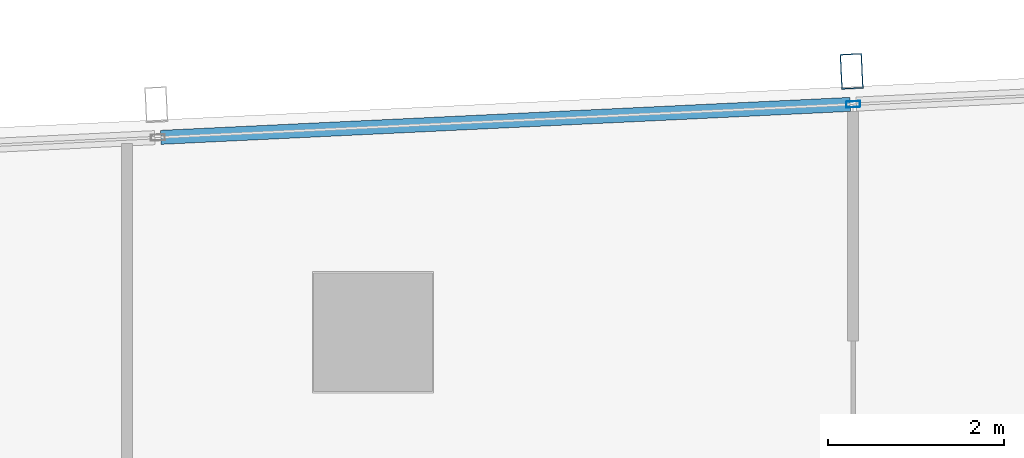
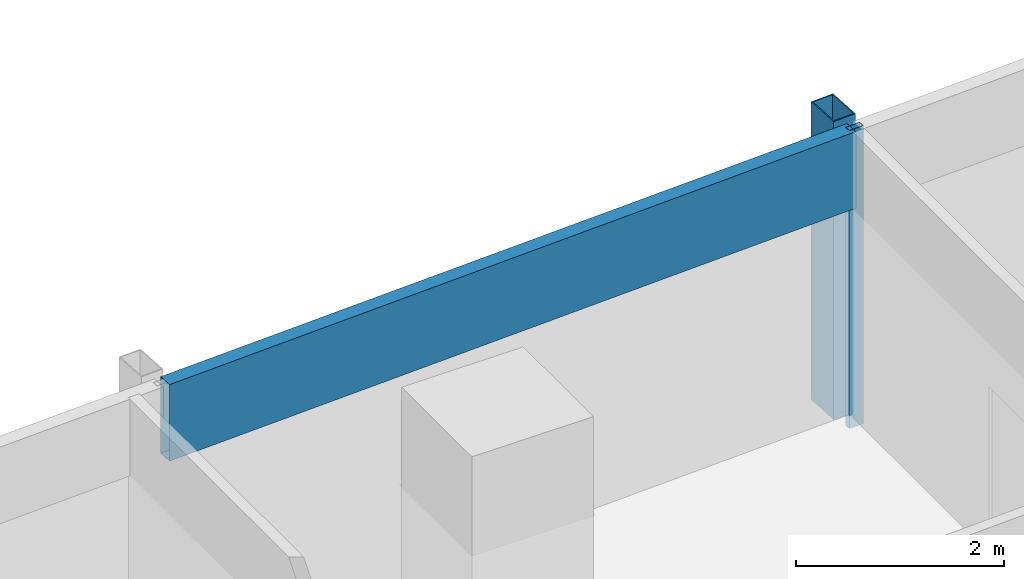
# One storey, part 19 of 39: 3 members, 1 element without a shape of its own.
"""IFC4 building model written with IfcOpenShell, lengths in metres."""

from ifc_helpers import new_model, si_unit, direction, frame, origin, origin_2d, place, context, subcontext, project, spatial, hollow_rectangle, extrude, material, material_profile, profile_set, type_object, element, aggregate, save


model = new_model("IFC4")

# Units and contexts
model_context = context("Model", 3, precision=1e-05, world=origin(), true_north=direction((0.0, 1.0)))
body_context = subcontext(model_context, "Body", "Model", "MODEL_VIEW")
ifc_project = project(units=[si_unit("LENGTHUNIT", "METRE"), si_unit("AREAUNIT", "SQUARE_METRE"), si_unit("VOLUMEUNIT", "CUBIC_METRE"), si_unit("PLANEANGLEUNIT", "RADIAN"), si_unit("MASSUNIT", "GRAM", prefix="KILO")], contexts=[model_context])

# Site, building, storey
site_placement = place(None, origin())
site = spatial("IfcSite", under=ifc_project, at=site_placement, CompositionType="ELEMENT")
building_placement = place(site_placement, origin())
building = spatial("IfcBuilding", under=site, at=building_placement, Name="Rekha Terrace Tower", CompositionType="ELEMENT")
storey_placement = place(building_placement, frame((0.0, 0.0, 217.699951171875)))
storey = spatial("IfcBuildingStorey", under=building, at=storey_placement, Name="L55", CompositionType="ELEMENT", Elevation=217.699951171875)

# Curtain wall, members
ifc_material_1 = material(Name="Aluminium framing", Category="aluminium")
curtain_wall_type = type_object("IfcCurtainWallType", Name="CW3 north unitised glazing", PredefinedType="USERDEFINED", material=ifc_material_1)
curtain_wall_placement = place(storey_placement, origin())
curtain_wall = element("IfcCurtainWall", 1, at=curtain_wall_placement, inside=storey, type_object=curtain_wall_type, Name="CW3 unitised curtain wall", ObjectType="UNITISED CURTAIN WALL", PredefinedType="USERDEFINED")
ifc_material_2 = material(Name="Steel S355 with fluorocarbon finish", Category="steel")
ifc_material_profile_1 = material_profile(ifc_material_2, hollow_rectangle(XDim=0.25, YDim=0.39990234375, WallThickness=0.012451171875, at=origin_2d()), Name="RHS400x250x12.5")
ifc_profile_set_1 = profile_set([ifc_material_profile_1], Name="Steel S355 with fluorocarbon finish")
member_type_1 = type_object("IfcMemberType", Name="BL1 facade blade RHS 400 x 250", PredefinedType="USERDEFINED", material=ifc_profile_set_1)
member_1_placement = place(storey_placement, frame((30.643310546875, 61.767578125, 0.0), z_axis=(0.0, 0.0, 1.0), x_axis=(-0.998858913274, -0.04775846913, 0.0)))
member_1 = element("IfcMember", 2, at=member_1_placement, type_object=member_type_1, Name="Facade blade", ObjectType="FACADE BLADE", PredefinedType="USERDEFINED", context=body_context, shape_type="SweptSolid", body=[
    extrude(hollow_rectangle(XDim=0.25, YDim=0.39990234375, WallThickness=0.012451171875, at=origin_2d()), origin(), (0.0, 0.0, 1.0), 3.5),
])
ifc_material_3 = material(Name="Aluminium mullion section", Category="aluminium")
ifc_material_profile_2 = material_profile(ifc_material_3, hollow_rectangle(XDim=0.070068359375, YDim=0.159912109375, WallThickness=0.00390625, at=origin_2d()), Name="AL RHS 70x160")
ifc_profile_set_2 = profile_set([ifc_material_profile_2], Name="Aluminium mullion section")
member_type_2 = type_object("IfcMemberType", Name="CW3 mullion RHS 70 x 160", PredefinedType="MULLION", material=ifc_profile_set_2)
member_2_placement = place(storey_placement, frame((30.6611328125, 61.39306640625, 0.0), z_axis=(0.0, 0.0, 1.0), x_axis=(0.047758616983, -0.998858906204, 0.0)))
member_2 = element("IfcMember", 3, at=member_2_placement, type_object=member_type_2, Name="CW3 mullion 3", PredefinedType="MULLION", context=body_context, shape_type="SweptSolid", body=[
    extrude(hollow_rectangle(XDim=0.070068359375, YDim=0.159912109375, WallThickness=0.00390625, at=origin_2d()), origin(), (0.0, 0.0, 1.0), 3.5),
])
ifc_material_4 = material(Name="Insulated aluminium spandrel box", Category="aluminium")
ifc_material_profile_3 = material_profile(ifc_material_4, hollow_rectangle(XDim=0.159912109375, YDim=0.89990234375, WallThickness=0.0029296875, at=origin_2d()), Name="AL SPANDREL BOX 160x900")
ifc_profile_set_3 = profile_set([ifc_material_profile_3], Name="Insulated aluminium spandrel box")
member_type_3 = type_object("IfcMemberType", Name="CW3 spandrel transom 160 x 900", PredefinedType="USERDEFINED", material=ifc_profile_set_3)
member_3_placement = place(storey_placement, frame((30.626220703125, 61.391357421875, 3.050048828125), z_axis=(-0.998859323292, -0.047749892907, 0.0), x_axis=(0.047749892907, -0.998859323292, 0.0)))
member_3 = element("IfcMember", 4, at=member_3_placement, type_object=member_type_3, Name="CW3 spandrel transom 3", ObjectType="TRANSOM", PredefinedType="USERDEFINED", context=body_context, shape_type="SweptSolid", body=[
    extrude(hollow_rectangle(XDim=0.159912109375, YDim=0.89990234375, WallThickness=0.0029296875, at=origin_2d()), origin(), (0.0, 0.0, 1.0), 7.848388671875),
])
aggregate(curtain_wall, [member_2, member_3, member_1])

save(model, "model.ifc")
